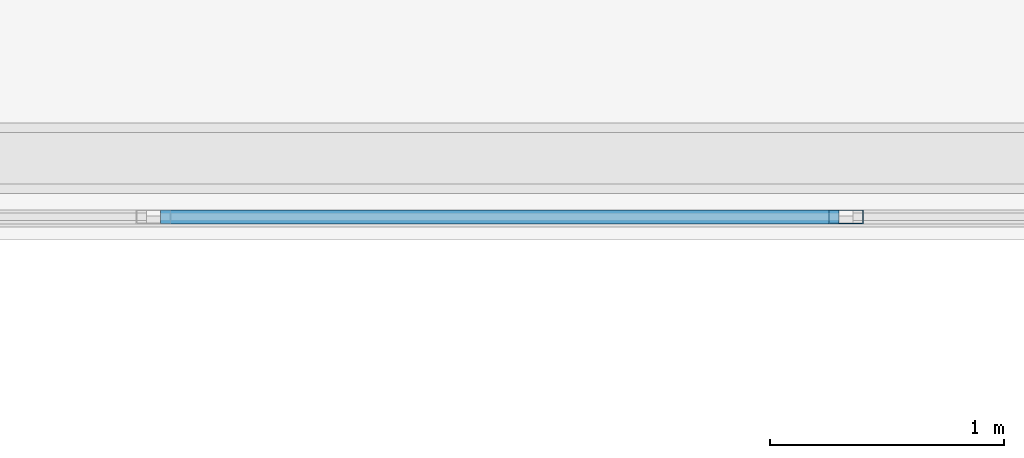
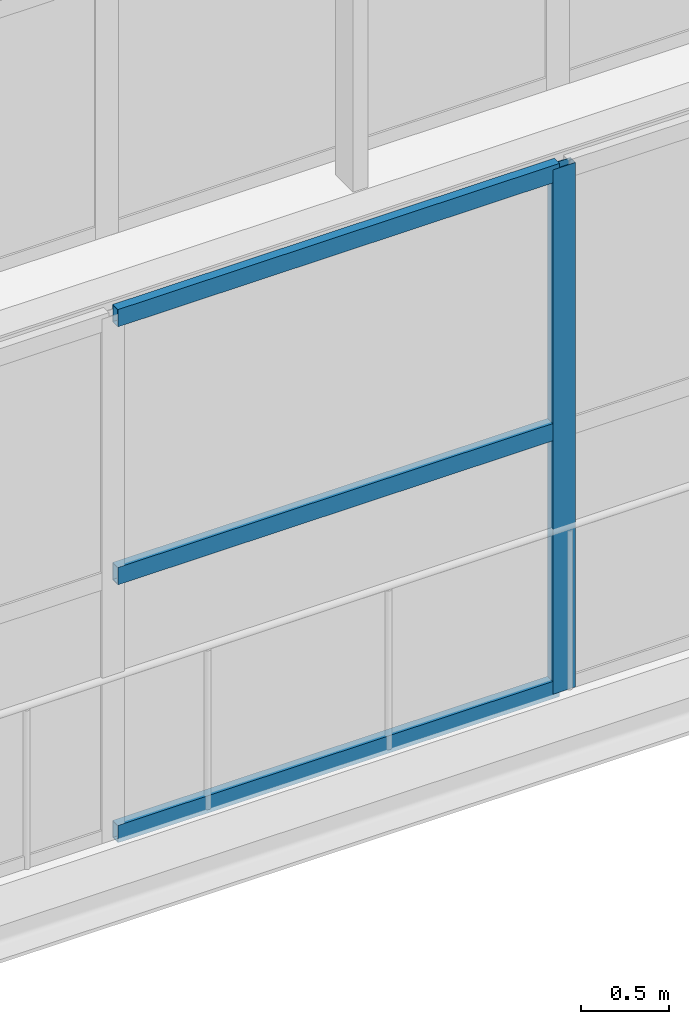
# One storey, part 60 of 167: 4 members, 1 element without a shape of its own.
"""IFC4 building model written with IfcOpenShell, lengths in metres."""

from ifc_helpers import new_model, si_unit, direction, frame, origin, origin_2d, place, context, subcontext, project, spatial, hollow_rectangle, extrude, material, layer, layer_set, material_profile, profile_set, type_object, element, aggregate, save


model = new_model("IFC4")

# Units and contexts
model_context = context("Model", 3, precision=1e-05, world=origin(), true_north=direction((0.0, 1.0)))
body_context = subcontext(model_context, "Body", "Model", "MODEL_VIEW")
ifc_project = project(units=[si_unit("LENGTHUNIT", "METRE"), si_unit("AREAUNIT", "SQUARE_METRE"), si_unit("VOLUMEUNIT", "CUBIC_METRE"), si_unit("PLANEANGLEUNIT", "RADIAN"), si_unit("MASSUNIT", "GRAM", prefix="KILO")], contexts=[model_context])

# Site, building, storey
site_placement = place(None, origin())
site = spatial("IfcSite", under=ifc_project, at=site_placement, CompositionType="ELEMENT")
building_placement = place(site_placement, origin())
building = spatial("IfcBuilding", under=site, at=building_placement, Name="Zizhar Promenade General Hospital", CompositionType="ELEMENT")
storey_placement = place(building_placement, frame((0.0, 0.0, 9.60009765625)))
storey = spatial("IfcBuildingStorey", under=building, at=storey_placement, Name="L02", CompositionType="ELEMENT", Elevation=9.60009765625)

# Curtain wall, members
ifc_material_1 = material(Name="Anodised aluminium 6063-T6 and low-E glass", Category="aluminium")
ifc_layer = layer(ifc_material_1, 0.159912109375)
ifc_layer_set = layer_set([ifc_layer], Name="Anodised aluminium 6063-T6 and low-E glass")
curtain_wall_type = type_object("IfcCurtainWallType", Name="CW-SKY-GLZ", PredefinedType="NOTDEFINED", material=ifc_layer_set)
curtain_wall_placement = place(storey_placement, origin())
curtain_wall = element("IfcCurtainWall", 1, at=curtain_wall_placement, inside=storey, type_object=curtain_wall_type, Name="Courtyard Surgical-Clinic Skybridge Level L02 South Glazing 2", PredefinedType="NOTDEFINED")
ifc_material_2 = material(Name="Anodised aluminium 6063-T6", Category="aluminium")
ifc_material_profile_1 = material_profile(ifc_material_2, hollow_rectangle(XDim=0.06005859375, YDim=0.14990234375, WallThickness=0.00390625, at=origin_2d()))
ifc_profile_set_1 = profile_set([ifc_material_profile_1], Name="Anodised aluminium 6063-T6")
member_type_1 = type_object("IfcMemberType", Name="CWM-ALU-150x60", PredefinedType="MULLION", material=ifc_profile_set_1)
member_1_placement = place(storey_placement, frame((92.1201171875, 77.5, 0.0), z_axis=(0.0, 0.0, 1.0), x_axis=(0.0, -1.0, 0.0)))
member_1 = element("IfcMember", 2, at=member_1_placement, type_object=member_type_1, Name="CW-15 mullion 4", PredefinedType="MULLION", context=body_context, shape_type="SweptSolid", body=[
    extrude(hollow_rectangle(XDim=0.06005859375, YDim=0.14990234375, WallThickness=0.00390625, at=origin_2d()), origin(), (0.0, 0.0, 1.0), 3.639892578125),
])
ifc_material_3 = material(Name="Anodised aluminium 6063-T6", Category="aluminium")
ifc_material_profile_2 = material_profile(ifc_material_3, hollow_rectangle(XDim=0.06005859375, YDim=0.1201171875, WallThickness=0.00390625, at=origin_2d()))
ifc_profile_set_2 = profile_set([ifc_material_profile_2], Name="Anodised aluminium 6063-T6")
member_type_2 = type_object("IfcMemberType", Name="CWT-ALU-120x60", PredefinedType="USERDEFINED", material=ifc_profile_set_2)
member_2_placement = place(storey_placement, frame((92.090087890625, 77.5, 0.02978515625), z_axis=(-1.0, 0.0, 0.0), x_axis=(0.0, -1.0, 0.0)))
member_2 = element("IfcMember", 3, at=member_2_placement, type_object=member_type_2, Name="CW-15 transom 4.1", ObjectType="TRANSOM", PredefinedType="USERDEFINED", context=body_context, shape_type="SweptSolid", body=[
    extrude(hollow_rectangle(XDim=0.06005859375, YDim=0.1201171875, WallThickness=0.00390625, at=origin_2d()), origin(), (0.0, 0.0, 1.0), 2.900146484375),
])
member_3_placement = place(storey_placement, frame((92.090087890625, 77.5, 1.81982421875), z_axis=(-1.0, 0.0, 0.0), x_axis=(0.0, -1.0, 0.0)))
member_3 = element("IfcMember", 4, at=member_3_placement, type_object=member_type_2, Name="CW-15 transom 4.2", ObjectType="TRANSOM", PredefinedType="USERDEFINED", context=body_context, shape_type="SweptSolid", body=[
    extrude(hollow_rectangle(XDim=0.06005859375, YDim=0.1201171875, WallThickness=0.00390625, at=origin_2d()), origin(), (0.0, 0.0, 1.0), 2.900146484375),
])
member_4_placement = place(storey_placement, frame((92.090087890625, 77.5, 3.60986328125), z_axis=(-1.0, 0.0, 0.0), x_axis=(0.0, -1.0, 0.0)))
member_4 = element("IfcMember", 5, at=member_4_placement, type_object=member_type_2, Name="CW-15 transom 4.3", ObjectType="TRANSOM", PredefinedType="USERDEFINED", context=body_context, shape_type="SweptSolid", body=[
    extrude(hollow_rectangle(XDim=0.06005859375, YDim=0.1201171875, WallThickness=0.00390625, at=origin_2d()), origin(), (0.0, 0.0, 1.0), 2.900146484375),
])
aggregate(curtain_wall, [member_1, member_2, member_3, member_4])

save(model, "model.ifc")
